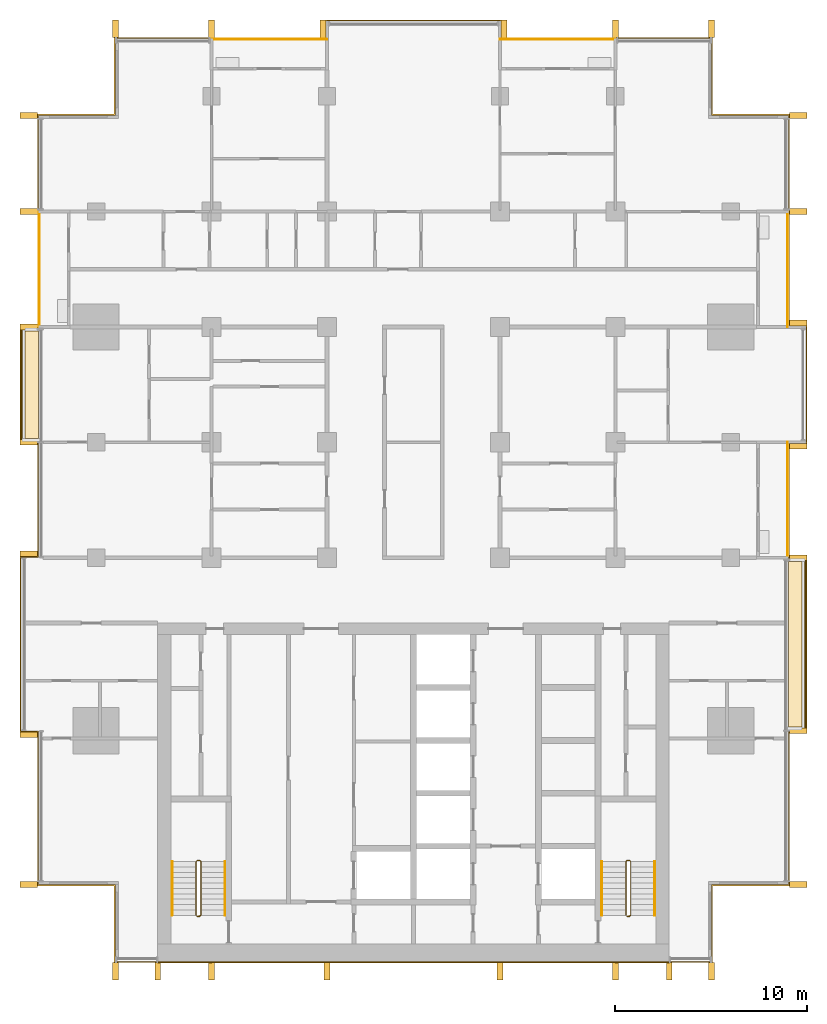
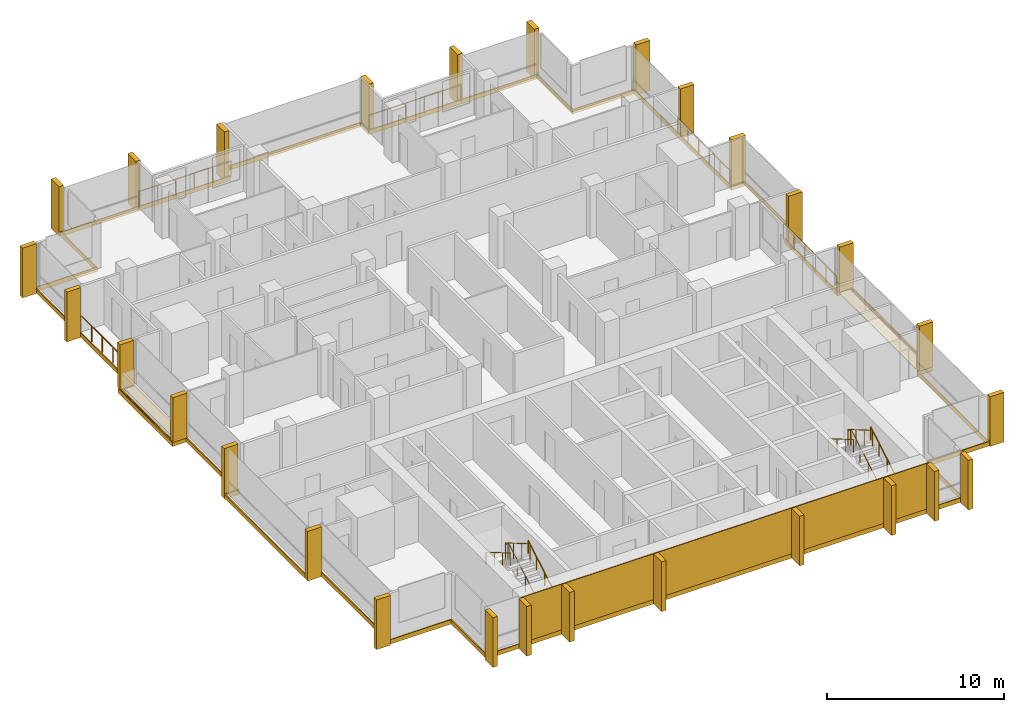
# One storey, part 17 of 17: 28 shading devices, 11 railings, 10 coverings.
"""IFC4 building model written with IfcOpenShell, lengths in metres."""

from ifc_helpers import new_model, si_unit, direction, frame, origin, origin_2d, place, context, subcontext, project, spatial, polyline, rectangle, circle, outline, extrude, material, layer, layer_set, type_object, element, save


model = new_model("IFC4")

# Units and contexts
model_context = context("Model", 3, precision=1e-05, world=origin(), true_north=direction((0.0, 1.0)))
body_context = subcontext(model_context, "Body", "Model", "MODEL_VIEW")
ifc_project = project(units=[si_unit("LENGTHUNIT", "METRE"), si_unit("AREAUNIT", "SQUARE_METRE"), si_unit("VOLUMEUNIT", "CUBIC_METRE"), si_unit("PLANEANGLEUNIT", "RADIAN"), si_unit("MASSUNIT", "GRAM", prefix="KILO")], contexts=[model_context])

# Site, building, storey
site_placement = place(None, origin())
site = spatial("IfcSite", under=ifc_project, at=site_placement, CompositionType="ELEMENT")
building_placement = place(site_placement, origin())
building = spatial("IfcBuilding", under=site, at=building_placement, Name="Finial Court Residences", CompositionType="ELEMENT")
storey_placement = place(building_placement, frame((0.0, 0.0, 196.10009765625)))
storey = spatial("IfcBuildingStorey", under=building, at=storey_placement, Name="L49", CompositionType="ELEMENT", Elevation=196.10009765625)

# Railings
ifc_material_1 = material(Name="Bronze anodised aluminium", Category="aluminium")
railing_type_1 = type_object("IfcRailingType", Name="Balcony guard 1100", PredefinedType="GUARDRAIL", material=ifc_material_1)
for number, where, name in (
    (1, (-10.5, 22.449951171875, 0.0), "E-L49-BALN2-R"),
    (2, (4.5, 22.449951171875, 0.0), "E-L49-BALN4-R"),
):
    element("IfcRailing", number, at=place(storey_placement, frame(where)), inside=storey, type_object=railing_type_1, Name=name, PredefinedType="GUARDRAIL", context=body_context, shape_type="SweptSolid", body=[
        extrude(circle(Radius=0.02392578125, at=origin_2d()), frame((0.0, 0.0, 1.076171875), z_axis=(1.0, 0.0, 0.0), x_axis=(0.0, 1.0, 0.0)), (0.0, 0.0, 1.0), 6.0),
        extrude(circle(Radius=0.02099609375, at=origin_2d()), origin(), (0.0, 0.0, 1.0), 1.052001953125),
        extrude(circle(Radius=0.02099609375, at=origin_2d()), frame((1.199951171875, 0.0, 0.0)), (0.0, 0.0, 1.0), 1.052001953125),
        extrude(circle(Radius=0.02099609375, at=origin_2d()), frame((2.39990234375, 0.0, 0.0)), (0.0, 0.0, 1.0), 1.052001953125),
        extrude(circle(Radius=0.02099609375, at=origin_2d()), frame((3.60009765625, 0.0, 0.0)), (0.0, 0.0, 1.0), 1.052001953125),
        extrude(circle(Radius=0.02099609375, at=origin_2d()), frame((4.800048828125, 0.0, 0.0)), (0.0, 0.0, 1.0), 1.052001953125),
        extrude(circle(Radius=0.02099609375, at=origin_2d()), frame((6.0, 0.0, 0.0)), (0.0, 0.0, 1.0), 1.052001953125),
    ])
for number, where, name in (
    (3, (19.449951171875, -4.5, 0.0), "E-L49-BALE3-R"),
    (4, (19.449951171875, 7.5, 0.0), "E-L49-BALE5-R"),
    (5, (-19.449951171875, 7.5, 0.0), "E-L49-BALW5-R"),
):
    element("IfcRailing", number, at=place(storey_placement, frame(where)), inside=storey, type_object=railing_type_1, Name=name, PredefinedType="GUARDRAIL", context=body_context, shape_type="SweptSolid", body=[
        extrude(circle(Radius=0.02392578125, at=origin_2d()), frame((0.0, 0.0, 1.076171875), z_axis=(0.0, 1.0, 0.0), x_axis=(-1.0, 0.0, 0.0)), (0.0, 0.0, 1.0), 6.0),
        extrude(circle(Radius=0.02099609375, at=origin_2d()), origin(), (0.0, 0.0, 1.0), 1.052001953125),
        extrude(circle(Radius=0.02099609375, at=origin_2d()), frame((0.0, 1.199951171875, 0.0)), (0.0, 0.0, 1.0), 1.052001953125),
        extrude(circle(Radius=0.02099609375, at=origin_2d()), frame((0.0, 2.39990234375, 0.0)), (0.0, 0.0, 1.0), 1.052001953125),
        extrude(circle(Radius=0.02099609375, at=origin_2d()), frame((0.0, 3.60009765625, 0.0)), (0.0, 0.0, 1.0), 1.052001953125),
        extrude(circle(Radius=0.02099609375, at=origin_2d()), frame((0.0, 4.800048828125, 0.0)), (0.0, 0.0, 1.0), 1.052001953125),
        extrude(circle(Radius=0.02099609375, at=origin_2d()), frame((0.0, 6.0, 0.0)), (0.0, 0.0, 1.0), 1.052001953125),
    ])

# Coverings
ifc_material_2 = material(Name="Natural limestone", Category="masonry")
ifc_layer_1 = layer(ifc_material_2, 0.06005859375)
ifc_layer_set_1 = layer_set([ifc_layer_1], Name="Limestone cladding to the blind core face 60")
covering_type_1 = type_object("IfcCoveringType", Name="Limestone cladding to the blind core face 60", PredefinedType="CLADDING", material=ifc_layer_set_1)
covering_1_placement = place(storey_placement, origin())
element("IfcCovering", 6, at=covering_1_placement, inside=storey, type_object=covering_type_1, Name="E-L49-CLAD1", PredefinedType="CLADDING", context=body_context, shape_type="SweptSolid", body=[
    extrude(outline(polyline([(-10.5, -25.56005859375), (-10.5, -25.5), (-13.300048828125, -25.5), (-13.300048828125, -25.56005859375), (-10.5, -25.56005859375)])), origin(), (0.0, 0.0, 1.0), 3.14990234375),
])
covering_2_placement = place(storey_placement, origin())
element("IfcCovering", 7, at=covering_2_placement, inside=storey, type_object=covering_type_1, Name="E-L49-CLAD2", PredefinedType="CLADDING", context=body_context, shape_type="SweptSolid", body=[
    extrude(outline(polyline([(-4.5, -25.56005859375), (-4.5, -25.5), (-10.5, -25.5), (-10.5, -25.56005859375), (-4.5, -25.56005859375)])), origin(), (0.0, 0.0, 1.0), 3.14990234375),
])
covering_3_placement = place(storey_placement, origin())
element("IfcCovering", 8, at=covering_3_placement, inside=storey, type_object=covering_type_1, Name="E-L49-CLAD3", PredefinedType="CLADDING", context=body_context, shape_type="SweptSolid", body=[
    extrude(outline(polyline([(4.5, -25.56005859375), (4.5, -25.5), (-4.5, -25.5), (-4.5, -25.56005859375), (4.5, -25.56005859375)])), origin(), (0.0, 0.0, 1.0), 3.14990234375),
])
covering_4_placement = place(storey_placement, origin())
element("IfcCovering", 9, at=covering_4_placement, inside=storey, type_object=covering_type_1, Name="E-L49-CLAD4", PredefinedType="CLADDING", context=body_context, shape_type="SweptSolid", body=[
    extrude(outline(polyline([(10.5, -25.56005859375), (10.5, -25.5), (4.5, -25.5), (4.5, -25.56005859375), (10.5, -25.56005859375)])), origin(), (0.0, 0.0, 1.0), 3.14990234375),
])
covering_5_placement = place(storey_placement, origin())
element("IfcCovering", 10, at=covering_5_placement, inside=storey, type_object=covering_type_1, Name="E-L49-CLAD5", PredefinedType="CLADDING", context=body_context, shape_type="SweptSolid", body=[
    extrude(outline(polyline([(13.300048828125, -25.56005859375), (13.300048828125, -25.5), (10.5, -25.5), (10.5, -25.56005859375), (13.300048828125, -25.56005859375)])), origin(), (0.0, 0.0, 1.0), 3.14990234375),
])

# Shading devices
shading_device_type = type_object("IfcShadingDeviceType", Name="Limestone fin 300 x 900", PredefinedType="USERDEFINED", material=ifc_material_2)
for number, where, z_axis, x_axis, name in (
    (11, (-15.5, 23.010009765625, -0.30029296875), (0.0, 0.0, 1.0), (1.0, 0.0, 0.0), "E-L49-FIN-N1"),
    (12, (-10.5, 23.010009765625, -0.30029296875), (0.0, 0.0, 1.0), (1.0, 0.0, 0.0), "E-L49-FIN-N2"),
    (13, (-4.7099609375, 23.010009765625, -0.30029296875), (0.0, 0.0, 1.0), (1.0, 0.0, 0.0), "E-L49-FIN-N3"),
    (14, (4.7099609375, 23.010009765625, -0.30029296875), (0.0, 0.0, 1.0), (1.0, 0.0, 0.0), "E-L49-FIN-N4"),
    (15, (10.5, 23.010009765625, -0.30029296875), (0.0, 0.0, 1.0), (1.0, 0.0, 0.0), "E-L49-FIN-N5"),
    (16, (15.5, 23.010009765625, -0.30029296875), (0.0, 0.0, 1.0), (1.0, 0.0, 0.0), "E-L49-FIN-N6"),
):
    element("IfcShadingDevice", number, at=place(storey_placement, frame(where, z_axis=z_axis, x_axis=x_axis)), inside=storey, type_object=shading_device_type, Name=name, ObjectType="FIN", PredefinedType="USERDEFINED", context=body_context, shape_type="SweptSolid", body=[
        extrude(rectangle(XDim=0.300048828125, YDim=0.89990234375, at=origin_2d()), origin(), (0.0, 0.0, 1.0), 3.429931640625),
    ])
shading_device_placement = place(storey_placement, frame((20.010009765625, -21.5, -0.30029296875), z_axis=(0.0, 0.0, 1.0), x_axis=(1.0, 0.0, 0.0)))
element("IfcShadingDevice", 17, at=shading_device_placement, inside=storey, type_object=shading_device_type, Name="E-L49-FIN-E7", ObjectType="FIN", PredefinedType="USERDEFINED", context=body_context, shape_type="SweptSolid", body=[
    extrude(rectangle(XDim=0.89990234375, YDim=0.300048828125, at=origin_2d()), origin(), (0.0, 0.0, 1.0), 3.429931640625),
])
for number, where, z_axis, x_axis, name in (
    (18, (20.010009765625, -13.5, 0.0400390625), (0.0, 0.0, 1.0), (1.0, 0.0, 0.0), "E-L49-FIN-E8"),
    (19, (20.010009765625, -4.5, 0.0400390625), (0.0, 0.0, 1.0), (1.0, 0.0, 0.0), "E-L49-FIN-E9"),
):
    element("IfcShadingDevice", number, at=place(storey_placement, frame(where, z_axis=z_axis, x_axis=x_axis)), inside=storey, type_object=shading_device_type, Name=name, ObjectType="FIN", PredefinedType="USERDEFINED", context=body_context, shape_type="SweptSolid", body=[
        extrude(rectangle(XDim=0.89990234375, YDim=0.300048828125, at=origin_2d()), origin(), (0.0, 0.0, 1.0), 3.090087890625),
    ])
for number, where, z_axis, x_axis, name in (
    (20, (20.010009765625, 1.2900390625, -0.30029296875), (0.0, 0.0, 1.0), (1.0, 0.0, 0.0), "E-L49-FIN-E10"),
    (21, (20.010009765625, 7.7099609375, -0.30029296875), (0.0, 0.0, 1.0), (1.0, 0.0, 0.0), "E-L49-FIN-E11"),
    (22, (20.010009765625, 13.5, -0.30029296875), (0.0, 0.0, 1.0), (1.0, 0.0, 0.0), "E-L49-FIN-E12"),
    (23, (20.010009765625, 18.5, -0.30029296875), (0.0, 0.0, 1.0), (1.0, 0.0, 0.0), "E-L49-FIN-E13"),
):
    element("IfcShadingDevice", number, at=place(storey_placement, frame(where, z_axis=z_axis, x_axis=x_axis)), inside=storey, type_object=shading_device_type, Name=name, ObjectType="FIN", PredefinedType="USERDEFINED", context=body_context, shape_type="SweptSolid", body=[
        extrude(rectangle(XDim=0.89990234375, YDim=0.300048828125, at=origin_2d()), origin(), (0.0, 0.0, 1.0), 3.429931640625),
    ])
for number, where, z_axis, x_axis, name in (
    (24, (-15.5, -26.010009765625, -0.30029296875), (0.0, 0.0, 1.0), (1.0, 0.0, 0.0), "E-L49-FIN-S14"),
    (25, (-13.300048828125, -26.010009765625, -0.30029296875), (0.0, 0.0, 1.0), (1.0, 0.0, 0.0), "E-L49-FIN-S15"),
    (26, (-10.5, -26.010009765625, -0.30029296875), (0.0, 0.0, 1.0), (1.0, 0.0, 0.0), "E-L49-FIN-S16"),
    (27, (-4.5, -26.010009765625, -0.30029296875), (0.0, 0.0, 1.0), (1.0, 0.0, 0.0), "E-L49-FIN-S17"),
    (28, (4.5, -26.010009765625, -0.30029296875), (0.0, 0.0, 1.0), (1.0, 0.0, 0.0), "E-L49-FIN-S18"),
    (29, (10.5, -26.010009765625, -0.30029296875), (0.0, 0.0, 1.0), (1.0, 0.0, 0.0), "E-L49-FIN-S19"),
    (30, (13.300048828125, -26.010009765625, -0.30029296875), (0.0, 0.0, 1.0), (1.0, 0.0, 0.0), "E-L49-FIN-S20"),
    (31, (15.5, -26.010009765625, -0.30029296875), (0.0, 0.0, 1.0), (1.0, 0.0, 0.0), "E-L49-FIN-S21"),
):
    element("IfcShadingDevice", number, at=place(storey_placement, frame(where, z_axis=z_axis, x_axis=x_axis)), inside=storey, type_object=shading_device_type, Name=name, ObjectType="FIN", PredefinedType="USERDEFINED", context=body_context, shape_type="SweptSolid", body=[
        extrude(rectangle(XDim=0.300048828125, YDim=0.89990234375, at=origin_2d()), origin(), (0.0, 0.0, 1.0), 3.429931640625),
    ])
for number, where, z_axis, x_axis, name in (
    (32, (-20.010009765625, -21.5, -0.30029296875), (0.0, 0.0, 1.0), (1.0, 0.0, 0.0), "E-L49-FIN-W22"),
    (33, (-20.010009765625, -13.7099609375, -0.30029296875), (0.0, 0.0, 1.0), (1.0, 0.0, 0.0), "E-L49-FIN-W23"),
    (34, (-20.010009765625, -4.2900390625, -0.30029296875), (0.0, 0.0, 1.0), (1.0, 0.0, 0.0), "E-L49-FIN-W24"),
):
    element("IfcShadingDevice", number, at=place(storey_placement, frame(where, z_axis=z_axis, x_axis=x_axis)), inside=storey, type_object=shading_device_type, Name=name, ObjectType="FIN", PredefinedType="USERDEFINED", context=body_context, shape_type="SweptSolid", body=[
        extrude(rectangle(XDim=0.89990234375, YDim=0.300048828125, at=origin_2d()), origin(), (0.0, 0.0, 1.0), 3.429931640625),
    ])
for number, where, z_axis, x_axis, name in (
    (35, (-20.010009765625, 1.5, 0.0400390625), (0.0, 0.0, 1.0), (1.0, 0.0, 0.0), "E-L49-FIN-W25"),
    (36, (-20.010009765625, 7.5, 0.0400390625), (0.0, 0.0, 1.0), (1.0, 0.0, 0.0), "E-L49-FIN-W26"),
):
    element("IfcShadingDevice", number, at=place(storey_placement, frame(where, z_axis=z_axis, x_axis=x_axis)), inside=storey, type_object=shading_device_type, Name=name, ObjectType="FIN", PredefinedType="USERDEFINED", context=body_context, shape_type="SweptSolid", body=[
        extrude(rectangle(XDim=0.89990234375, YDim=0.300048828125, at=origin_2d()), origin(), (0.0, 0.0, 1.0), 3.090087890625),
    ])
for number, where, z_axis, x_axis, name in (
    (37, (-20.010009765625, 13.5, -0.30029296875), (0.0, 0.0, 1.0), (1.0, 0.0, 0.0), "E-L49-FIN-W27"),
    (38, (-20.010009765625, 18.5, -0.30029296875), (0.0, 0.0, 1.0), (1.0, 0.0, 0.0), "E-L49-FIN-W28"),
):
    element("IfcShadingDevice", number, at=place(storey_placement, frame(where, z_axis=z_axis, x_axis=x_axis)), inside=storey, type_object=shading_device_type, Name=name, ObjectType="FIN", PredefinedType="USERDEFINED", context=body_context, shape_type="SweptSolid", body=[
        extrude(rectangle(XDim=0.89990234375, YDim=0.300048828125, at=origin_2d()), origin(), (0.0, 0.0, 1.0), 3.429931640625),
    ])

# Coverings
ifc_material_3 = material(Name="Pale limestone", Category="masonry")
ifc_layer_2 = layer(ifc_material_3, 0.06005859375)
ifc_layer_set_2 = layer_set([ifc_layer_2], Name="Pale limestone slab-edge band 60")
covering_type_2 = type_object("IfcCoveringType", Name="Pale limestone slab-edge band 60", PredefinedType="CLADDING", material=ifc_layer_set_2)
covering_6_placement = place(storey_placement, frame((0.0, 0.0, -0.300048828125)))
element("IfcCovering", 39, at=covering_6_placement, inside=storey, type_object=covering_type_2, Name="E-L49-BAND1", PredefinedType="CLADDING", context=body_context, shape_type="SweptSolid", body=[
    extrude(outline(polyline([(19.56005859375, -13.56005859375), (19.56005859375, -21.56005859375), (15.56005859375, -21.56005859375), (15.56005859375, -25.56005859375), (-15.56005859375, -25.56005859375), (-15.56005859375, -21.56005859375), (-19.56005859375, -21.56005859375), (-19.56005859375, -13.56005859375), (-20.4599609375, -13.56005859375), (-20.4599609375, -4.43994140625), (-19.56005859375, -4.43994140625), (-19.56005859375, 1.43994140625), (-20.4599609375, 1.43994140625), (-20.4599609375, 7.56005859375), (-19.56005859375, 7.56005859375), (-19.56005859375, 18.56005859375), (-15.56005859375, 18.56005859375), (-15.56005859375, 22.56005859375), (-4.56005859375, 22.56005859375), (-4.56005859375, 23.4599609375), (4.56005859375, 23.4599609375), (4.56005859375, 22.56005859375), (15.56005859375, 22.56005859375), (15.56005859375, 18.56005859375), (19.56005859375, 18.56005859375), (19.56005859375, 7.56005859375), (20.4599609375, 7.56005859375), (20.4599609375, 1.43994140625), (19.56005859375, 1.43994140625), (19.56005859375, -4.43994140625), (20.4599609375, -4.43994140625), (20.4599609375, -13.56005859375), (19.56005859375, -13.56005859375)]), holes=[polyline([(20.39990234375, -4.5), (19.5, -4.5), (19.5, 1.5), (20.39990234375, 1.5), (20.39990234375, 7.5), (19.5, 7.5), (19.5, 13.5), (19.5, 18.5), (15.5, 18.5), (15.5, 22.5), (10.5, 22.5), (4.5, 22.5), (4.5, 23.39990234375), (-4.5, 23.39990234375), (-4.5, 22.5), (-10.5, 22.5), (-15.5, 22.5), (-15.5, 18.5), (-19.5, 18.5), (-19.5, 13.5), (-19.5, 7.5), (-20.39990234375, 7.5), (-20.39990234375, 1.5), (-19.5, 1.5), (-19.5, -4.5), (-20.39990234375, -4.5), (-20.39990234375, -13.5), (-19.5, -13.5), (-19.5, -21.5), (-15.5, -21.5), (-15.5, -25.5), (15.5, -25.5), (15.5, -21.5), (19.5, -21.5), (19.5, -13.5), (20.39990234375, -13.5), (20.39990234375, -4.5)])]), origin(), (0.0, 0.0, 1.0), 0.300048828125),
])
ifc_material_4 = material(Name="Bitumen membrane")
ifc_layer_3 = layer(ifc_material_4, 0.0400390625)
ifc_layer_set_3 = layer_set([ifc_layer_3], Name="Push box roofing, bitumen membrane 40")
covering_type_3 = type_object("IfcCoveringType", Name="Push box roofing, bitumen membrane 40", PredefinedType="ROOFING", material=ifc_layer_set_3)
covering_7_placement = place(storey_placement, origin())
element("IfcCovering", 40, at=covering_7_placement, inside=storey, type_object=covering_type_3, Name="E-L49-LED1", PredefinedType="ROOFING", context=body_context, shape_type="SweptSolid", body=[
    extrude(outline(polyline([(-19.5, 7.449951171875), (-20.199951171875, 7.449951171875), (-20.35009765625, 7.449951171875), (-20.35009765625, 1.699951171875), (-20.35009765625, 1.699951171875), (-20.35009765625, 1.550048828125), (-19.5, 1.550048828125), (-19.5, 1.5), (-20.39990234375, 1.5), (-20.39990234375, 7.5), (-19.5, 7.5), (-19.5, 7.449951171875)])), origin(), (0.0, 0.0, 1.0), 0.039794921875),
])
covering_8_placement = place(storey_placement, origin())
element("IfcCovering", 41, at=covering_8_placement, inside=storey, type_object=covering_type_3, Name="E-L49-LED1b", PredefinedType="ROOFING", context=body_context, shape_type="SweptSolid", body=[
    extrude(outline(polyline([(-19.5, 1.699951171875), (-20.199951171875, 1.699951171875), (-20.199951171875, 7.300048828125), (-19.5, 7.300048828125), (-19.5, 1.699951171875)])), origin(), (0.0, 0.0, 1.0), 0.039794921875),
])
covering_9_placement = place(storey_placement, origin())
element("IfcCovering", 42, at=covering_9_placement, inside=storey, type_object=covering_type_3, Name="E-L49-LED2", PredefinedType="ROOFING", context=body_context, shape_type="SweptSolid", body=[
    extrude(outline(polyline([(19.5, -13.449951171875), (20.199951171875, -13.449951171875), (20.35009765625, -13.449951171875), (20.35009765625, -4.699951171875), (20.35009765625, -4.699951171875), (20.35009765625, -4.550048828125), (19.5, -4.550048828125), (19.5, -4.5), (20.39990234375, -4.5), (20.39990234375, -13.5), (19.5, -13.5), (19.5, -13.449951171875)])), origin(), (0.0, 0.0, 1.0), 0.039794921875),
])
covering_10_placement = place(storey_placement, origin())
element("IfcCovering", 43, at=covering_10_placement, inside=storey, type_object=covering_type_3, Name="E-L49-LED2b", PredefinedType="ROOFING", context=body_context, shape_type="SweptSolid", body=[
    extrude(outline(polyline([(19.5, -4.699951171875), (20.199951171875, -4.699951171875), (20.199951171875, -13.300048828125), (19.5, -13.300048828125), (19.5, -4.699951171875)])), origin(), (0.0, 0.0, 1.0), 0.039794921875),
])

# Railings
ifc_material_5 = material(Name="Stainless steel railing", Category="steel")
railing_type_2 = type_object("IfcRailingType", Name="Stair guard 1100", PredefinedType="GUARDRAIL", material=ifc_material_5)
railing_1_placement = place(storey_placement, frame((-11.10009765625, -23.14990234375, 0.0)))
element("IfcRailing", 44, at=railing_1_placement, inside=storey, type_object=railing_type_2, Name="L49 ST-1 stair guard 1", PredefinedType="GUARDRAIL", context=body_context, shape_type="SweptSolid", body=[
    extrude(circle(Radius=0.02392578125, at=origin_2d()), frame((0.0, 0.0, 1.076171875), z_axis=(-1.0, 0.0, 0.0), x_axis=(0.0, -1.0, 0.0)), (0.0, 0.0, 1.0), 0.14990234375),
    extrude(circle(Radius=0.02392578125, at=origin_2d()), frame((-0.14990234375, 0.0, 1.076171875), z_axis=(0.760004195007, 0.189305074214, 0.621737253547), x_axis=(-0.241699205484, 0.970351222016, 0.0)), (0.0, 0.0, 1.0), 0.26318359375),
    extrude(circle(Radius=0.02392578125, at=origin_2d()), frame((0.050048828125, 0.0498046875, 1.23974609375), z_axis=(0.0, 0.863393664356, 0.504530851732), x_axis=(-1.0, 0.0, 0.0)), (0.0, 0.0, 1.0), 3.2431640625),
    extrude(circle(Radius=0.02392578125, at=origin_2d()), frame((0.050048828125, 2.849853515625, 2.8759765625), z_axis=(-0.707106781187, 0.707106781187, 0.0), x_axis=(-0.707106781187, -0.707106781187, 0.0)), (0.0, 0.0, 1.0), 0.07080078125),
    extrude(circle(Radius=0.02392578125, at=origin_2d()), frame((0.0, 2.89990234375, 2.8759765625), z_axis=(-1.0, 0.0, 0.0), x_axis=(0.0, -1.0, 0.0)), (0.0, 0.0, 1.0), 0.14990234375),
    extrude(circle(Radius=0.02392578125, at=origin_2d()), frame((-0.14990234375, 2.89990234375, 2.8759765625), z_axis=(-0.280456126637, -0.280456126637, 0.917980785237), x_axis=(0.707106781187, -0.707106781187, 0.0)), (0.0, 0.0, 1.0), 0.178466796875),
    extrude(circle(Radius=0.02392578125, at=origin_2d()), frame((-0.199951171875, 2.849853515625, 3.03955078125), z_axis=(0.0, -0.863393664356, 0.504530851732), x_axis=(1.0, 0.0, 0.0)), (0.0, 0.0, 1.0), 3.2431640625),
    extrude(circle(Radius=0.02099609375, at=origin_2d()), origin(), (0.0, 0.0, 1.0), 1.052001953125),
    extrude(circle(Radius=0.02099609375, at=origin_2d()), frame((-0.14990234375, 0.0, 0.0)), (0.0, 0.0, 1.0), 1.052001953125),
    extrude(circle(Radius=0.02099609375, at=origin_2d()), frame((0.050048828125, 0.0498046875, 0.16357421875)), (0.0, 0.0, 1.0), 1.052001953125),
    extrude(circle(Radius=0.02099609375, at=origin_2d()), frame((0.050048828125, 0.983154296875, 0.708984375)), (0.0, 0.0, 1.0), 1.052001953125),
    extrude(circle(Radius=0.02099609375, at=origin_2d()), frame((0.050048828125, 1.91650390625, 1.25439453125)), (0.0, 0.0, 1.0), 1.052001953125),
    extrude(circle(Radius=0.02099609375, at=origin_2d()), frame((0.050048828125, 2.849853515625, 1.7998046875)), (0.0, 0.0, 1.0), 1.052001953125),
    extrude(circle(Radius=0.02099609375, at=origin_2d()), frame((0.0, 2.89990234375, 1.7998046875)), (0.0, 0.0, 1.0), 1.052001953125),
    extrude(circle(Radius=0.02099609375, at=origin_2d()), frame((-0.14990234375, 2.89990234375, 1.7998046875)), (0.0, 0.0, 1.0), 1.052001953125),
    extrude(circle(Radius=0.02099609375, at=origin_2d()), frame((-0.199951171875, 2.849853515625, 1.963623046875)), (0.0, 0.0, 1.0), 1.052001953125),
    extrude(circle(Radius=0.02099609375, at=origin_2d()), frame((-0.199951171875, 1.91650390625, 2.509033203125)), (0.0, 0.0, 1.0), 1.052001953125),
    extrude(circle(Radius=0.02099609375, at=origin_2d()), frame((-0.199951171875, 0.983154296875, 3.054443359375)), (0.0, 0.0, 1.0), 1.052001953125),
    extrude(circle(Radius=0.02099609375, at=origin_2d()), frame((-0.199951171875, 0.0498046875, 3.599853515625)), (0.0, 0.0, 1.0), 1.052001953125),
])
railing_2_placement = place(storey_placement, frame((11.25, -23.14990234375, 0.0)))
element("IfcRailing", 45, at=railing_2_placement, inside=storey, type_object=railing_type_2, Name="L49 ST-2 stair guard 1", PredefinedType="GUARDRAIL", context=body_context, shape_type="SweptSolid", body=[
    extrude(circle(Radius=0.02392578125, at=origin_2d()), frame((0.0, 0.0, 1.076171875), z_axis=(-1.0, 0.0, 0.0), x_axis=(0.0, -1.0, 0.0)), (0.0, 0.0, 1.0), 0.14990234375),
    extrude(circle(Radius=0.02392578125, at=origin_2d()), frame((-0.14990234375, 0.0, 1.076171875), z_axis=(0.760004195007, 0.189305074214, 0.621737253547), x_axis=(-0.241699205484, 0.970351222016, 0.0)), (0.0, 0.0, 1.0), 0.26318359375),
    extrude(circle(Radius=0.02392578125, at=origin_2d()), frame((0.050048828125, 0.0498046875, 1.23974609375), z_axis=(0.0, 0.863393664356, 0.504530851732), x_axis=(-1.0, 0.0, 0.0)), (0.0, 0.0, 1.0), 3.2431640625),
    extrude(circle(Radius=0.02392578125, at=origin_2d()), frame((0.050048828125, 2.849853515625, 2.8759765625), z_axis=(-0.707106781187, 0.707106781187, 0.0), x_axis=(-0.707106781187, -0.707106781187, 0.0)), (0.0, 0.0, 1.0), 0.07080078125),
    extrude(circle(Radius=0.02392578125, at=origin_2d()), frame((0.0, 2.89990234375, 2.8759765625), z_axis=(-1.0, 0.0, 0.0), x_axis=(0.0, -1.0, 0.0)), (0.0, 0.0, 1.0), 0.14990234375),
    extrude(circle(Radius=0.02392578125, at=origin_2d()), frame((-0.14990234375, 2.89990234375, 2.8759765625), z_axis=(-0.280456126637, -0.280456126637, 0.917980785237), x_axis=(0.707106781187, -0.707106781187, 0.0)), (0.0, 0.0, 1.0), 0.178466796875),
    extrude(circle(Radius=0.02392578125, at=origin_2d()), frame((-0.199951171875, 2.849853515625, 3.03955078125), z_axis=(0.0, -0.863393664356, 0.504530851732), x_axis=(1.0, 0.0, 0.0)), (0.0, 0.0, 1.0), 3.2431640625),
    extrude(circle(Radius=0.02099609375, at=origin_2d()), origin(), (0.0, 0.0, 1.0), 1.052001953125),
    extrude(circle(Radius=0.02099609375, at=origin_2d()), frame((-0.14990234375, 0.0, 0.0)), (0.0, 0.0, 1.0), 1.052001953125),
    extrude(circle(Radius=0.02099609375, at=origin_2d()), frame((0.050048828125, 0.0498046875, 0.16357421875)), (0.0, 0.0, 1.0), 1.052001953125),
    extrude(circle(Radius=0.02099609375, at=origin_2d()), frame((0.050048828125, 0.983154296875, 0.708984375)), (0.0, 0.0, 1.0), 1.052001953125),
    extrude(circle(Radius=0.02099609375, at=origin_2d()), frame((0.050048828125, 1.91650390625, 1.25439453125)), (0.0, 0.0, 1.0), 1.052001953125),
    extrude(circle(Radius=0.02099609375, at=origin_2d()), frame((0.050048828125, 2.849853515625, 1.7998046875)), (0.0, 0.0, 1.0), 1.052001953125),
    extrude(circle(Radius=0.02099609375, at=origin_2d()), frame((0.0, 2.89990234375, 1.7998046875)), (0.0, 0.0, 1.0), 1.052001953125),
    extrude(circle(Radius=0.02099609375, at=origin_2d()), frame((-0.14990234375, 2.89990234375, 1.7998046875)), (0.0, 0.0, 1.0), 1.052001953125),
    extrude(circle(Radius=0.02099609375, at=origin_2d()), frame((-0.199951171875, 2.849853515625, 1.963623046875)), (0.0, 0.0, 1.0), 1.052001953125),
    extrude(circle(Radius=0.02099609375, at=origin_2d()), frame((-0.199951171875, 1.91650390625, 2.509033203125)), (0.0, 0.0, 1.0), 1.052001953125),
    extrude(circle(Radius=0.02099609375, at=origin_2d()), frame((-0.199951171875, 0.983154296875, 3.054443359375)), (0.0, 0.0, 1.0), 1.052001953125),
    extrude(circle(Radius=0.02099609375, at=origin_2d()), frame((-0.199951171875, 0.0498046875, 3.599853515625)), (0.0, 0.0, 1.0), 1.052001953125),
])
railing_type_3 = type_object("IfcRailingType", Name="Stair handrail 900", PredefinedType="HANDRAIL", material=ifc_material_5)
railing_3_placement = place(storey_placement, frame((-9.800048828125, -23.10009765625, 0.16357421875)))
element("IfcRailing", 46, at=railing_3_placement, inside=storey, type_object=railing_type_3, Name="L49 ST-1 stair handrail 1", PredefinedType="HANDRAIL", context=body_context, shape_type="SweptSolid", body=[
    extrude(circle(Radius=0.02392578125, at=origin_2d()), frame((0.0, 0.0, 0.8759765625), z_axis=(0.0, 0.863393664356, 0.504530851732), x_axis=(-1.0, 0.0, 0.0)), (0.0, 0.0, 1.0), 3.2431640625),
    extrude(circle(Radius=0.02099609375, at=origin_2d()), origin(), (0.0, 0.0, 1.0), 0.851806640625),
    extrude(circle(Radius=0.02099609375, at=origin_2d()), frame((0.0, 0.933349609375, 0.54541015625)), (0.0, 0.0, 1.0), 0.851806640625),
    extrude(circle(Radius=0.02099609375, at=origin_2d()), frame((0.0, 1.86669921875, 1.0908203125)), (0.0, 0.0, 1.0), 0.851806640625),
    extrude(circle(Radius=0.02099609375, at=origin_2d()), frame((0.0, 2.800048828125, 1.63623046875)), (0.0, 0.0, 1.0), 0.851806640625),
])
railing_4_placement = place(storey_placement, frame((-12.550048828125, -20.300048828125, 1.963623046875)))
element("IfcRailing", 47, at=railing_4_placement, inside=storey, type_object=railing_type_3, Name="L49 ST-1 stair handrail 2", PredefinedType="HANDRAIL", context=body_context, shape_type="SweptSolid", body=[
    extrude(circle(Radius=0.02392578125, at=origin_2d()), frame((0.0, 0.0, 0.8759765625), z_axis=(0.0, -0.863393664356, 0.504530851732), x_axis=(1.0, 0.0, 0.0)), (0.0, 0.0, 1.0), 3.2431640625),
    extrude(circle(Radius=0.02099609375, at=origin_2d()), origin(), (0.0, 0.0, 1.0), 0.851806640625),
    extrude(circle(Radius=0.02099609375, at=origin_2d()), frame((0.0, -0.933349609375, 0.54541015625)), (0.0, 0.0, 1.0), 0.851806640625),
    extrude(circle(Radius=0.02099609375, at=origin_2d()), frame((0.0, -1.86669921875, 1.0908203125)), (0.0, 0.0, 1.0), 0.851806640625),
    extrude(circle(Radius=0.02099609375, at=origin_2d()), frame((0.0, -2.800048828125, 1.63623046875)), (0.0, 0.0, 1.0), 0.851806640625),
])
railing_5_placement = place(storey_placement, frame((12.550048828125, -23.10009765625, 0.16357421875)))
element("IfcRailing", 48, at=railing_5_placement, inside=storey, type_object=railing_type_3, Name="L49 ST-2 stair handrail 1", PredefinedType="HANDRAIL", context=body_context, shape_type="SweptSolid", body=[
    extrude(circle(Radius=0.02392578125, at=origin_2d()), frame((0.0, 0.0, 0.8759765625), z_axis=(0.0, 0.863393664356, 0.504530851732), x_axis=(-1.0, 0.0, 0.0)), (0.0, 0.0, 1.0), 3.2431640625),
    extrude(circle(Radius=0.02099609375, at=origin_2d()), origin(), (0.0, 0.0, 1.0), 0.851806640625),
    extrude(circle(Radius=0.02099609375, at=origin_2d()), frame((0.0, 0.933349609375, 0.54541015625)), (0.0, 0.0, 1.0), 0.851806640625),
    extrude(circle(Radius=0.02099609375, at=origin_2d()), frame((0.0, 1.86669921875, 1.0908203125)), (0.0, 0.0, 1.0), 0.851806640625),
    extrude(circle(Radius=0.02099609375, at=origin_2d()), frame((0.0, 2.800048828125, 1.63623046875)), (0.0, 0.0, 1.0), 0.851806640625),
])
railing_6_placement = place(storey_placement, frame((9.800048828125, -20.300048828125, 1.963623046875)))
element("IfcRailing", 49, at=railing_6_placement, inside=storey, type_object=railing_type_3, Name="L49 ST-2 stair handrail 2", PredefinedType="HANDRAIL", context=body_context, shape_type="SweptSolid", body=[
    extrude(circle(Radius=0.02392578125, at=origin_2d()), frame((0.0, 0.0, 0.8759765625), z_axis=(0.0, -0.863393664356, 0.504530851732), x_axis=(1.0, 0.0, 0.0)), (0.0, 0.0, 1.0), 3.2431640625),
    extrude(circle(Radius=0.02099609375, at=origin_2d()), origin(), (0.0, 0.0, 1.0), 0.851806640625),
    extrude(circle(Radius=0.02099609375, at=origin_2d()), frame((0.0, -0.933349609375, 0.54541015625)), (0.0, 0.0, 1.0), 0.851806640625),
    extrude(circle(Radius=0.02099609375, at=origin_2d()), frame((0.0, -1.86669921875, 1.0908203125)), (0.0, 0.0, 1.0), 0.851806640625),
    extrude(circle(Radius=0.02099609375, at=origin_2d()), frame((0.0, -2.800048828125, 1.63623046875)), (0.0, 0.0, 1.0), 0.851806640625),
])

save(model, "model.ifc")
